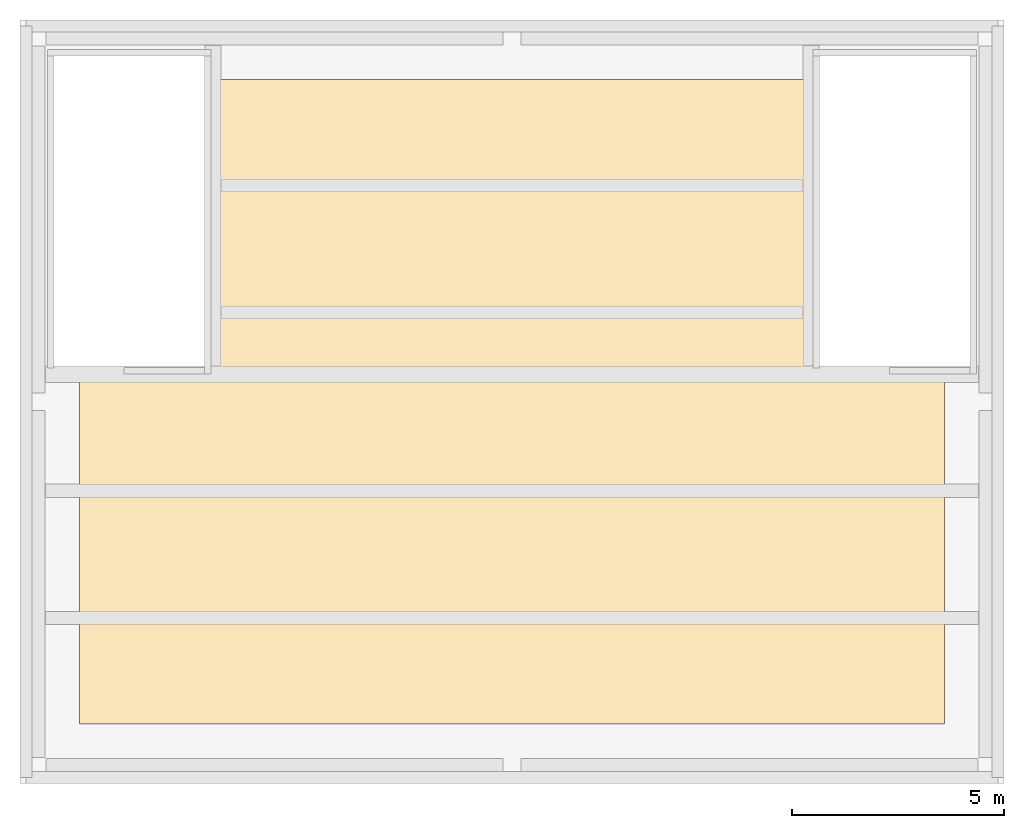
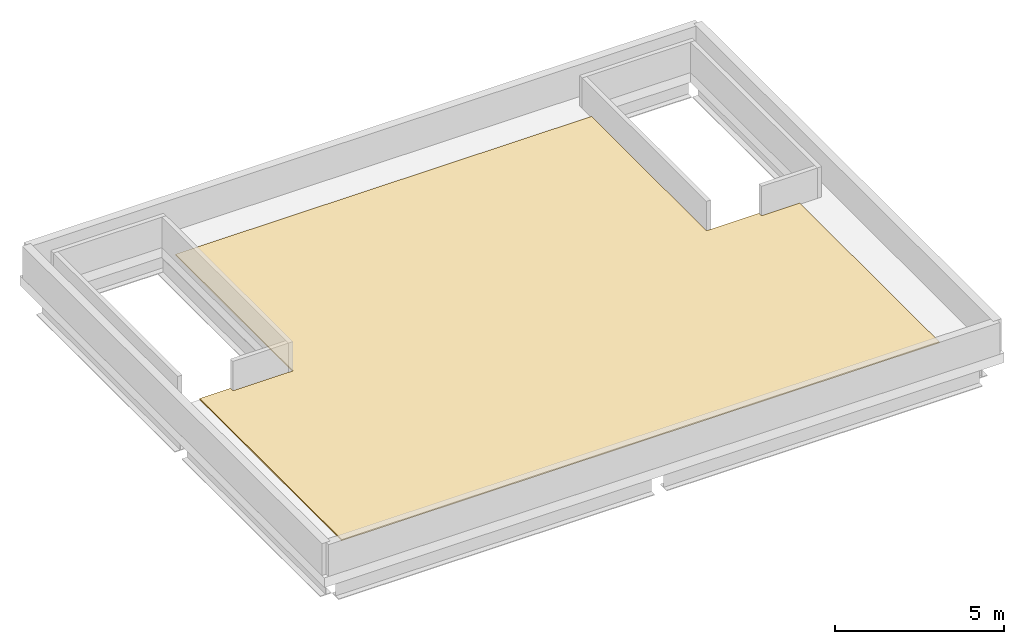
# One storey, part 2 of 2: 1 covering.
"""IFC4 building model written with IfcOpenShell, lengths in metres."""

from ifc_helpers import new_model, si_unit, derived_unit, direction, frame, origin, place, context, subcontext, project, spatial, polyline, outline, extrude, material, layer, layer_set, type_object, element, save


model = new_model("IFC4")

# Units and contexts
model_context = context("Model", 3, precision=1e-05, world=origin(), true_north=direction((0.0, 1.0)))
body_context = subcontext(model_context, "Body", "Model", "MODEL_VIEW")
ifc_project = project(units=[si_unit("LENGTHUNIT", "METRE"), si_unit("AREAUNIT", "SQUARE_METRE"), si_unit("VOLUMEUNIT", "CUBIC_METRE"), si_unit("PLANEANGLEUNIT", "RADIAN"), si_unit("MASSUNIT", "GRAM", prefix="KILO"), derived_unit("THERMALTRANSMITTANCEUNIT", [(si_unit("POWERUNIT", "WATT"), 1), (si_unit("LENGTHUNIT", "METRE"), -2), (si_unit("THERMODYNAMICTEMPERATUREUNIT", "KELVIN"), -1)])], contexts=[model_context])

# Site, building, storey
site_placement = place(None, origin())
site = spatial("IfcSite", under=ifc_project, at=site_placement, CompositionType="ELEMENT")
building_placement = place(site_placement, origin())
building = spatial("IfcBuilding", under=site, at=building_placement, Name="Koralith Skygarden Medical Center", CompositionType="ELEMENT")
storey_placement = place(building_placement, frame((0.0, 0.0, 309.64990234375)))
storey = spatial("IfcBuildingStorey", under=building, at=storey_placement, Name="Upper Roof", CompositionType="ELEMENT", Elevation=309.64990234375)

# Covering
ifc_material = material(Name="EPDM Membrane Roofing")
ifc_layer = layer(ifc_material, 0.044921875)
ifc_layer_set = layer_set([ifc_layer], Name="EPDM Membrane Roofing")
covering_type = type_object("IfcCoveringType", Name="Crown Inverted Membrane Roofing 45", PredefinedType="ROOFING", material=ifc_layer_set)
covering_placement = place(storey_placement, origin())
element("IfcCovering", 1, at=covering_placement, inside=storey, type_object=covering_type, Name="Upper Roof Helipad Deck Protective Topping", PredefinedType="ROOFING", context=body_context, shape_type="SweptSolid", body=[
    extrude(outline(polyline([(47.199951171875, 18.300048828125), (26.800048828125, 18.300048828125), (26.800048828125, 26.699951171875), (27.85009765625, 26.699951171875), (27.85009765625, 26.554931640625), (29.75, 26.554931640625), (29.89990234375, 26.554931640625), (29.89990234375, 33.5), (44.10009765625, 33.5), (44.10009765625, 26.699951171875), (44.25, 26.699951171875), (45.89990234375, 26.699951171875), (45.89990234375, 26.554931640625), (47.199951171875, 26.554931640625), (47.199951171875, 18.300048828125)])), origin(), (0.0, 0.0, 1.0), 0.045166015625),
])

save(model, "model.ifc")
